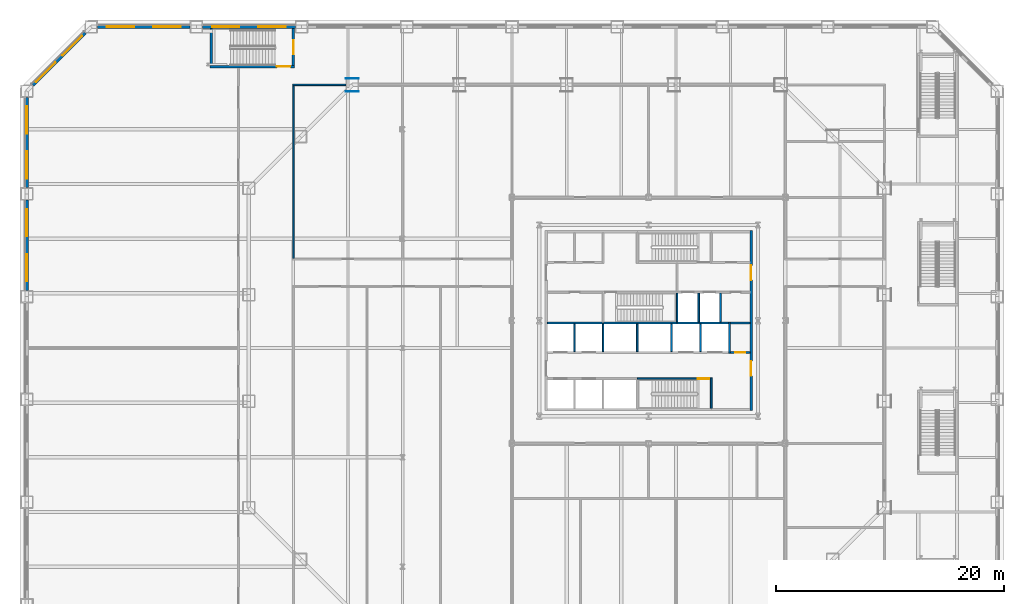
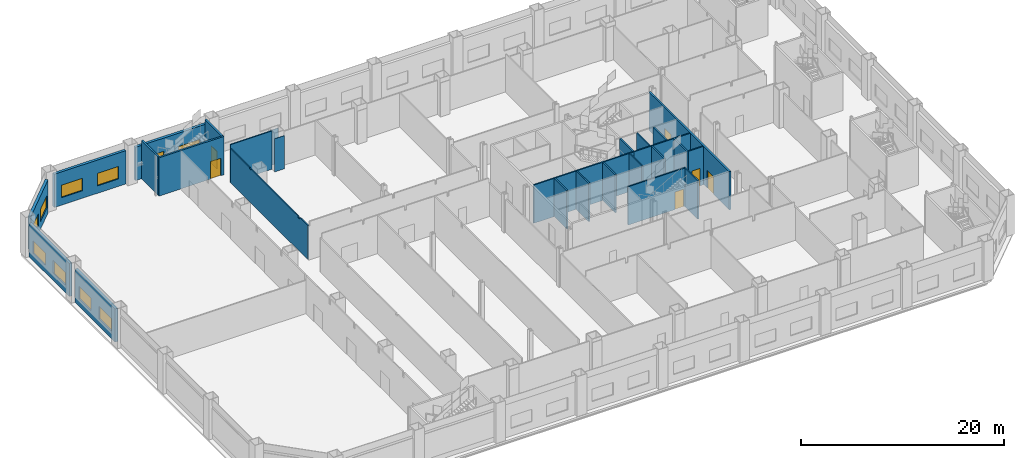
# One storey, part 14 of 26: 29 walls, 10 windows, 6 doors, 16 openings.
"""IFC4 building model written with IfcOpenShell, lengths in metres."""

from ifc_helpers import new_model, si_unit, direction, frame, frame_2d, origin, place, context, subcontext, project, spatial, polyline, rectangle, outline, extrude, material, layer, layer_set, type_object, element, fill, save


model = new_model("IFC4")

# Units and contexts
model_context = context("Model", 3, precision=1e-05, world=origin(), true_north=direction((0.0, 1.0)))
body_context = subcontext(model_context, "Body", "Model", "MODEL_VIEW")
ifc_project = project(units=[si_unit("LENGTHUNIT", "METRE"), si_unit("AREAUNIT", "SQUARE_METRE"), si_unit("VOLUMEUNIT", "CUBIC_METRE"), si_unit("PLANEANGLEUNIT", "RADIAN"), si_unit("MASSUNIT", "GRAM", prefix="KILO")], contexts=[model_context])

# Site, building, storey
site_placement = place(None, origin())
site = spatial("IfcSite", under=ifc_project, at=site_placement, CompositionType="ELEMENT")
building_placement = place(site_placement, origin())
building = spatial("IfcBuilding", under=site, at=building_placement, Name="Cairn Pilgrim Tower", CompositionType="ELEMENT")
storey_placement = place(building_placement, frame((0.0, 0.0, 25.800048828125)))
storey = spatial("IfcBuildingStorey", under=building, at=storey_placement, Name="L04", CompositionType="ELEMENT", Elevation=25.800048828125)

# Wall, openings, doors
ifc_material_1 = material(Name="Concrete C32/40", Category="concrete")
ifc_layer_1 = layer(ifc_material_1, 0.199951171875)
ifc_layer_set_1 = layer_set([ifc_layer_1], Name="CORE OUTER WALL 200 EI 120")
wall_type_1 = type_object("IfcWallType", Name="CORE OUTER WALL 200 EI 120", PredefinedType="SOLIDWALL", material=ifc_layer_set_1)
wall_1_placement = place(storey_placement, frame((16.199951171875, -5.5, 0.0), z_axis=(0.0, 0.0, 1.0), x_axis=(0.0, 1.0, 0.0)))
wall_1 = element("IfcWall", 1, at=wall_1_placement, inside=storey, type_object=wall_type_1, Name="CW:L04:V32", PredefinedType="SOLIDWALL", context=body_context, shape_type="SweptSolid", body=[
    extrude(rectangle(XDim=15.800048828125, YDim=0.199951171875, at=frame_2d((7.89990234375, 0.0))), origin(), (0.0, 0.0, 1.0), 4.599853515625),
])
opening_1_placement = place(wall_1_placement, frame((3.050048828125, 0.0, 0.0)))
opening_1 = element("IfcOpeningElement", 2, at=opening_1_placement, cuts=wall_1, Name="Opening CD-E1", PredefinedType="OPENING", context=body_context, shape_type="SweptSolid", body=[
    extrude(rectangle(XDim=1.300048828125, YDim=2.10009765625, at=frame_2d((0.64990234375, 1.050048828125))), frame((0.0, 0.10986328125, 0.0), z_axis=(0.0, -1.0, 0.0), x_axis=(1.0, 0.0, 0.0)), (0.0, 0.0, 1.0), 0.219970703125),
])
opening_2_placement = place(wall_1_placement, frame((11.449951171875, 0.0, 0.0)))
opening_2 = element("IfcOpeningElement", 3, at=opening_2_placement, cuts=wall_1, Name="Opening CD-E2", PredefinedType="OPENING", context=body_context, shape_type="SweptSolid", body=[
    extrude(rectangle(XDim=1.300048828125, YDim=2.10009765625, at=frame_2d((0.64990234375, 1.050048828125))), frame((0.0, 0.10986328125, 0.0), z_axis=(0.0, -1.0, 0.0), x_axis=(1.0, 0.0, 0.0)), (0.0, 0.0, 1.0), 0.219970703125),
])
ifc_material_2 = material(Name="Painted steel", Category="steel")
door_type_1 = type_object("IfcDoorType", Name="CORE LOBBY DOOR 1300x2100", OperationType="DOUBLE_DOOR_SINGLE_SWING", PredefinedType="DOOR", material=ifc_material_2)
door_1_placement = place(opening_1_placement, origin())
door_1 = element("IfcDoor", 4, at=door_1_placement, inside=storey, type_object=door_type_1, Name="CD-E1", OperationType="DOUBLE_DOOR_SINGLE_SWING", OverallHeight=2.10009765625, OverallWidth=1.300048828125, PredefinedType="DOOR", context=body_context, shape_type="SweptSolid", body=[
    extrude(rectangle(XDim=1.300048828125, YDim=2.10009765625, at=frame_2d((0.64990234375, 1.050048828125))), frame((0.0, 0.02490234375, 0.0), z_axis=(0.0, -1.0, 0.0), x_axis=(1.0, 0.0, 0.0)), (0.0, 0.0, 1.0), 0.050048828125),
])
fill(opening_1, door_1)
door_2_placement = place(opening_2_placement, origin())
door_2 = element("IfcDoor", 5, at=door_2_placement, inside=storey, type_object=door_type_1, Name="CD-E2", OperationType="DOUBLE_DOOR_SINGLE_SWING", OverallHeight=2.10009765625, OverallWidth=1.300048828125, PredefinedType="DOOR", context=body_context, shape_type="SweptSolid", body=[
    extrude(rectangle(XDim=1.300048828125, YDim=2.10009765625, at=frame_2d((0.64990234375, 1.050048828125))), frame((0.0, 0.02490234375, 0.0), z_axis=(0.0, -1.0, 0.0), x_axis=(1.0, 0.0, 0.0)), (0.0, 0.0, 1.0), 0.050048828125),
])
fill(opening_2, door_2)

# Wall, opening, door
ifc_layer_2 = layer(ifc_material_1, 0.14990234375)
ifc_layer_set_2 = layer_set([ifc_layer_2], Name="CORE PARTITION 150 EI 60")
wall_type_2 = type_object("IfcWallType", Name="CORE PARTITION 150 EI 60", PredefinedType="PARTITIONING", material=ifc_layer_set_2)
wall_2_placement = place(storey_placement, frame((14.375, -0.39990234375, 0.0), z_axis=(0.0, 0.0, 1.0), x_axis=(1.0, 0.0, 0.0)))
wall_2 = element("IfcWall", 6, at=wall_2_placement, inside=storey, type_object=wall_type_2, Name="CW:L04:H04", PredefinedType="PARTITIONING", context=body_context, shape_type="SweptSolid", body=[
    extrude(rectangle(XDim=1.72509765625, YDim=0.14990234375, at=frame_2d((0.862548828125, 0.0))), origin(), (0.0, 0.0, 1.0), 4.599853515625),
])
opening_3_placement = place(wall_2_placement, frame((0.425048828125, 0.0, 0.0)))
opening_3 = element("IfcOpeningElement", 7, at=opening_3_placement, cuts=wall_2, Name="Opening RD-R2E", PredefinedType="OPENING", context=body_context, shape_type="SweptSolid", body=[
    extrude(rectangle(XDim=0.89990234375, YDim=2.10009765625, at=frame_2d((0.449951171875, 1.050048828125))), frame((0.0, 0.0849609375, 0.0), z_axis=(0.0, -1.0, 0.0), x_axis=(1.0, 0.0, 0.0)), (0.0, 0.0, 1.0), 0.169921875),
])
door_type_2 = type_object("IfcDoorType", Name="SERVICE ROOM DOOR 900x2100", OperationType="SINGLE_SWING_LEFT", PredefinedType="DOOR", material=ifc_material_2)
door_3_placement = place(opening_3_placement, origin())
door_3 = element("IfcDoor", 8, at=door_3_placement, inside=storey, type_object=door_type_2, Name="RD-R2E", OperationType="SINGLE_SWING_RIGHT", OverallHeight=2.10009765625, OverallWidth=0.89990234375, PredefinedType="DOOR", context=body_context, shape_type="SweptSolid", body=[
    extrude(rectangle(XDim=0.89990234375, YDim=2.10009765625, at=frame_2d((0.449951171875, 1.050048828125))), frame((0.0, 0.02490234375, 0.0), z_axis=(0.0, -1.0, 0.0), x_axis=(1.0, 0.0, 0.0)), (0.0, 0.0, 1.0), 0.050048828125),
])
fill(opening_3, door_3)

# Walls
wall_3_placement = place(storey_placement, frame((14.375, 2.199951171875, 0.0), z_axis=(0.0, 0.0, 1.0), x_axis=(1.0, 0.0, 0.0)))
element("IfcWall", 9, at=wall_3_placement, inside=storey, type_object=wall_type_2, Name="CW:L04:H06", PredefinedType="PARTITIONING", context=body_context, shape_type="SweptSolid", body=[
    extrude(rectangle(XDim=1.72509765625, YDim=0.14990234375, at=frame_2d((0.862548828125, 0.0))), origin(), (0.0, 0.0, 1.0), 4.599853515625),
])
ifc_layer_3 = layer(ifc_material_1, 0.14990234375)
ifc_layer_set_3 = layer_set([ifc_layer_3], Name="CORE SHAFT WALL 150 EI 120")
wall_type_3 = type_object("IfcWallType", Name="CORE SHAFT WALL 150 EI 120", PredefinedType="SOLIDWALL", material=ifc_layer_set_3)
wall_4_placement = place(storey_placement, frame((-1.699951171875, 2.199951171875, 0.0), z_axis=(0.0, 0.0, 1.0), x_axis=(1.0, 0.0, 0.0)))
element("IfcWall", 10, at=wall_4_placement, inside=storey, type_object=wall_type_3, Name="CW:L04:H05-1", PredefinedType="SOLIDWALL", context=body_context, shape_type="SweptSolid", body=[
    extrude(rectangle(XDim=4.89990234375, YDim=0.14990234375, at=frame_2d((2.449951171875, 0.0))), origin(), (0.0, 0.0, 1.0), 4.599853515625),
])
wall_5_placement = place(storey_placement, frame((9.699951171875, 2.199951171875, 0.0), z_axis=(0.0, 0.0, 1.0), x_axis=(1.0, 0.0, 0.0)))
element("IfcWall", 11, at=wall_5_placement, inside=storey, type_object=wall_type_3, Name="CW:L04:H05-3", PredefinedType="SOLIDWALL", context=body_context, shape_type="SweptSolid", body=[
    extrude(rectangle(XDim=4.525146484375, YDim=0.14990234375, at=frame_2d((2.2626953125, 0.0))), origin(), (0.0, 0.0, 1.0), 4.599853515625),
])
for number, where, z_axis, x_axis, name in (
    (12, (0.699951171875, -0.324951171875, 0.0), (0.0, 0.0, 1.0), (0.0, 1.0, 0.0), "CW:L04:V14"),
    (13, (3.199951171875, -0.324951171875, 0.0), (0.0, 0.0, 1.0), (0.0, 1.0, 0.0), "CW:L04:V17"),
    (14, (6.199951171875, -0.324951171875, 0.0), (0.0, 0.0, 1.0), (0.0, 1.0, 0.0), "CW:L04:V21"),
    (15, (9.199951171875, -0.324951171875, 0.0), (0.0, 0.0, 1.0), (0.0, 1.0, 0.0), "CW:L04:V23"),
):
    element("IfcWall", number, at=place(storey_placement, frame(where, z_axis=z_axis, x_axis=x_axis)), inside=storey, type_object=wall_type_3, Name=name, PredefinedType="SOLIDWALL", context=body_context, shape_type="SweptSolid", body=[
        extrude(rectangle(XDim=2.449951171875, YDim=0.14990234375, at=frame_2d((1.22509765625, 0.0))), origin(), (0.0, 0.0, 1.0), 4.599853515625),
    ])
wall_6_placement = place(storey_placement, frame((11.60009765625, 2.27490234375, 0.0), z_axis=(0.0, 0.0, 1.0), x_axis=(0.0, 1.0, 0.0)))
element("IfcWall", 16, at=wall_6_placement, inside=storey, type_object=wall_type_3, Name="CW:L04:V26", PredefinedType="SOLIDWALL", context=body_context, shape_type="SweptSolid", body=[
    extrude(rectangle(XDim=2.550048828125, YDim=0.14990234375, at=frame_2d((1.27490234375, 0.0))), origin(), (0.0, 0.0, 1.0), 4.599853515625),
])
wall_7_placement = place(storey_placement, frame((11.75, -0.324951171875, 0.0), z_axis=(0.0, 0.0, 1.0), x_axis=(0.0, 1.0, 0.0)))
element("IfcWall", 17, at=wall_7_placement, inside=storey, type_object=wall_type_3, Name="CW:L04:V27", PredefinedType="SOLIDWALL", context=body_context, shape_type="SweptSolid", body=[
    extrude(rectangle(XDim=2.449951171875, YDim=0.14990234375, at=frame_2d((1.22509765625, 0.0))), origin(), (0.0, 0.0, 1.0), 4.599853515625),
])
wall_8_placement = place(storey_placement, frame((13.5, 2.27490234375, 0.0), z_axis=(0.0, 0.0, 1.0), x_axis=(0.0, 1.0, 0.0)))
element("IfcWall", 18, at=wall_8_placement, inside=storey, type_object=wall_type_3, Name="CW:L04:V30", PredefinedType="SOLIDWALL", context=body_context, shape_type="SweptSolid", body=[
    extrude(rectangle(XDim=2.550048828125, YDim=0.14990234375, at=frame_2d((1.27490234375, 0.0))), origin(), (0.0, 0.0, 1.0), 4.599853515625),
])
wall_9_placement = place(storey_placement, frame((14.300048828125, -0.47509765625, 0.0), z_axis=(0.0, 0.0, 1.0), x_axis=(0.0, 1.0, 0.0)))
element("IfcWall", 19, at=wall_9_placement, inside=storey, type_object=wall_type_3, Name="CW:L04:V31", PredefinedType="SOLIDWALL", context=body_context, shape_type="SweptSolid", body=[
    extrude(rectangle(XDim=2.75, YDim=0.14990234375, at=frame_2d((1.375, 0.0))), origin(), (0.0, 0.0, 1.0), 4.599853515625),
])
ifc_material_3 = material(Name="Gypsum partition")
ifc_layer_4 = layer(ifc_material_3, 0.125)
ifc_layer_set_4 = layer_set([ifc_layer_4], Name="PARTITION 125 DRYWALL EI 60")
wall_type_4 = type_object("IfcWallType", Name="PARTITION 125 DRYWALL EI 60", PredefinedType="PARTITIONING", material=ifc_layer_set_4)
wall_10_placement = place(storey_placement, frame((-24.0, 7.862548828125, 0.0), z_axis=(0.0, 0.0, 1.0), x_axis=(0.0, 1.0, 0.0)))
element("IfcWall", 20, at=wall_10_placement, inside=storey, type_object=wall_type_4, Name="PARTITION W049", PredefinedType="PARTITIONING", context=body_context, shape_type="SweptSolid", body=[
    extrude(outline(polyline([(0.0, 0.0), (15.175048828125, 0.0), (15.175048828125, 4.079833984375), (11.487548828125, 4.079833984375), (11.485595703125, 3.97998046875), (11.1875, 3.97998046875), (11.185546875, 4.079833984375), (1.887451171875, 4.079833984375), (1.885498046875, 3.8798828125), (1.58740234375, 3.8798828125), (1.58544921875, 4.079833984375), (0.0, 4.079833984375), (0.0, 0.0)])), frame((0.0, 0.0625, 0.0), z_axis=(0.0, -1.0, 0.0), x_axis=(1.0, 0.0, 0.0)), (0.0, 0.0, 1.0), 0.125),
])
wall_11_placement = place(storey_placement, frame((-24.0625, 23.10009765625, 0.0), z_axis=(0.0, 0.0, 1.0), x_axis=(1.0, 0.0, 0.0)))
element("IfcWall", 21, at=wall_11_placement, inside=storey, type_object=wall_type_4, Name="PARTITION W069", PredefinedType="PARTITIONING", context=body_context, shape_type="SweptSolid", body=[
    extrude(rectangle(XDim=4.685302734375, YDim=0.125, at=frame_2d((2.3427734375, 0.0))), origin(), (0.0, 0.0, 1.0), 4.599853515625),
])
ifc_layer_5 = layer(ifc_material_3, 0.050048828125)
ifc_layer_set_5 = layer_set([ifc_layer_5], Name="PARTITION 50 DRYWALL EI 60")
wall_type_5 = type_object("IfcWallType", Name="PARTITION 50 DRYWALL EI 60", PredefinedType="PARTITIONING", material=ifc_layer_set_5)
wall_12_placement = place(storey_placement, frame((-19.377197265625, 22.52490234375, 0.0), z_axis=(0.0, 0.0, 1.0), x_axis=(1.0, 0.0, 0.0)))
element("IfcWall", 22, at=wall_12_placement, inside=storey, type_object=wall_type_5, Name="COLUMN CASING WC39", PredefinedType="PARTITIONING", context=body_context, shape_type="SweptSolid", body=[
    extrude(rectangle(XDim=1.10009765625, YDim=0.050048828125, at=frame_2d((0.550048828125, 0.0))), origin(), (0.0, 0.0, 1.0), 3.97998046875),
])
wall_13_placement = place(storey_placement, frame((-19.377197265625, 23.675048828125, 0.0), z_axis=(0.0, 0.0, 1.0), x_axis=(1.0, 0.0, 0.0)))
element("IfcWall", 23, at=wall_13_placement, inside=storey, type_object=wall_type_5, Name="COLUMN CASING WC40", PredefinedType="PARTITIONING", context=body_context, shape_type="SweptSolid", body=[
    extrude(rectangle(XDim=1.10009765625, YDim=0.050048828125, at=frame_2d((0.550048828125, 0.0))), origin(), (0.0, 0.0, 1.0), 4.219970703125),
])

# Wall, opening, door
ifc_material_4 = material(Name="Concrete C35/45", Category="concrete")
ifc_layer_6 = layer(ifc_material_4, 0.199951171875)
ifc_layer_set_6 = layer_set([ifc_layer_6], Name="PODIUM STAIR WALL 200 EI 120")
wall_type_6 = type_object("IfcWallType", Name="PODIUM STAIR WALL 200 EI 120", PredefinedType="SOLIDWALL", material=ifc_layer_set_6)
wall_14_placement = place(storey_placement, frame((-31.300048828125, 24.699951171875, 0.0), z_axis=(0.0, 0.0, 1.0), x_axis=(1.0, 0.0, 0.0)))
wall_14 = element("IfcWall", 24, at=wall_14_placement, inside=storey, type_object=wall_type_6, Name="STAIR SHAFT WALL W075", PredefinedType="SOLIDWALL", context=body_context, shape_type="SweptSolid", body=[
    extrude(rectangle(XDim=7.400146484375, YDim=0.199951171875, at=frame_2d((3.7001953125, 0.0))), origin(), (0.0, 0.0, 1.0), 4.599853515625),
])
opening_4_placement = place(wall_14_placement, frame((5.85009765625, 0.0, 0.0)))
opening_4 = element("IfcOpeningElement", 25, at=opening_4_placement, cuts=wall_14, Name="Opening 0420", PredefinedType="OPENING", context=body_context, shape_type="SweptSolid", body=[
    extrude(rectangle(XDim=1.199951171875, YDim=2.10009765625, at=frame_2d((0.60009765625, 1.050048828125))), frame((0.0, 0.10986328125, 0.0), z_axis=(0.0, -1.0, 0.0), x_axis=(1.0, 0.0, 0.0)), (0.0, 0.0, 1.0), 0.219970703125),
])
ifc_material_5 = material(Name="Steel-faced fire door leaf", Category="steel")
door_type_3 = type_object("IfcDoorType", Name="FIRE DOOR 1200x2100 FD60S", OperationType="NOTDEFINED", PredefinedType="DOOR", material=ifc_material_5)
door_4_placement = place(opening_4_placement, origin())
door_4 = element("IfcDoor", 26, at=door_4_placement, inside=storey, type_object=door_type_3, Name="DOOR 0420", OperationType="SINGLE_SWING_RIGHT", OverallHeight=2.10009765625, OverallWidth=1.199951171875, PredefinedType="DOOR", context=body_context, shape_type="SweptSolid", body=[
    extrude(rectangle(XDim=1.199951171875, YDim=2.10009765625, at=frame_2d((0.60009765625, 1.050048828125))), frame((0.0, 0.02490234375, 0.0), z_axis=(0.0, -1.0, 0.0), x_axis=(1.0, 0.0, 0.0)), (0.0, 0.0, 1.0), 0.050048828125),
])
fill(opening_4, door_4)

# Wall
wall_15_placement = place(storey_placement, frame((-31.199951171875, 24.800048828125, 0.0), z_axis=(0.0, 0.0, 1.0), x_axis=(0.0, 1.0, 0.0)))
element("IfcWall", 27, at=wall_15_placement, inside=storey, type_object=wall_type_6, Name="STAIR SHAFT WALL W076", PredefinedType="SOLIDWALL", context=body_context, shape_type="SweptSolid", body=[
    extrude(rectangle(XDim=3.25, YDim=0.199951171875, at=frame_2d((1.625, 0.0))), origin(), (0.0, 0.0, 1.0), 4.599853515625),
])

# Wall, opening, door
wall_16_placement = place(storey_placement, frame((-24.0, 24.800048828125, 0.0), z_axis=(0.0, 0.0, 1.0), x_axis=(0.0, 1.0, 0.0)))
wall_16 = element("IfcWall", 28, at=wall_16_placement, inside=storey, type_object=wall_type_6, Name="STAIR SHAFT WALL W077", PredefinedType="SOLIDWALL", context=body_context, shape_type="SweptSolid", body=[
    extrude(rectangle(XDim=3.25, YDim=0.199951171875, at=frame_2d((1.625, 0.0))), origin(), (0.0, 0.0, 1.0), 4.599853515625),
])
opening_5_placement = place(wall_16_placement, frame((1.0, 0.0, 0.0)))
opening_5 = element("IfcOpeningElement", 29, at=opening_5_placement, cuts=wall_16, Name="Opening 0421", PredefinedType="OPENING", context=body_context, shape_type="SweptSolid", body=[
    extrude(rectangle(XDim=1.199951171875, YDim=2.10009765625, at=frame_2d((0.60009765625, 1.050048828125))), frame((0.0, 0.10986328125, 0.0), z_axis=(0.0, -1.0, 0.0), x_axis=(1.0, 0.0, 0.0)), (0.0, 0.0, 1.0), 0.219970703125),
])
door_5_placement = place(opening_5_placement, origin())
door_5 = element("IfcDoor", 30, at=door_5_placement, inside=storey, type_object=door_type_3, Name="DOOR 0421", OperationType="SINGLE_SWING_LEFT", OverallHeight=2.10009765625, OverallWidth=1.199951171875, PredefinedType="DOOR", context=body_context, shape_type="SweptSolid", body=[
    extrude(rectangle(XDim=1.199951171875, YDim=2.10009765625, at=frame_2d((0.60009765625, 1.050048828125))), frame((0.0, 0.02490234375, 0.0), z_axis=(0.0, -1.0, 0.0), x_axis=(1.0, 0.0, 0.0)), (0.0, 0.0, 1.0), 0.050048828125),
])
fill(opening_5, door_5)

# Wall, openings, windows
ifc_material_6 = material(Name="Concrete C35/45 backup wall with bronze aluminium cladding", Category="concrete")
ifc_layer_7 = layer(ifc_material_6, 0.300048828125)
ifc_layer_set_7 = layer_set([ifc_layer_7], Name="PODIUM WALL 300 BRONZE-CLAD")
wall_type_7 = type_object("IfcWallType", Name="PODIUM WALL 300 BRONZE-CLAD", PredefinedType="SOLIDWALL", material=ifc_layer_set_7)
wall_17_placement = place(storey_placement, frame((-23.82568359375, 28.199951171875, 0.0), z_axis=(0.0, 0.0, 1.0), x_axis=(-1.0, 0.0, 0.0)))
wall_17 = element("IfcWall", 31, at=wall_17_placement, inside=storey, type_object=wall_type_7, Name="PODIUM EXTERNAL WALL N7-N8", PredefinedType="SOLIDWALL", context=body_context, shape_type="SweptSolid", body=[
    extrude(rectangle(XDim=8.137939453125, YDim=0.300048828125, at=frame_2d((4.06884765625, 0.0))), origin(), (0.0, 0.0, 1.0), 4.0),
])
opening_6_placement = place(wall_17_placement, frame((0.83447265625, 0.0, 0.89990234375)))
opening_6 = element("IfcOpeningElement", 32, at=opening_6_placement, cuts=wall_17, Name="Opening PW15", PredefinedType="OPENING", context=body_context, shape_type="SweptSolid", body=[
    extrude(rectangle(XDim=2.39990234375, YDim=1.5, at=frame_2d((1.199951171875, 0.75))), frame((0.0, 0.16015625, 0.0), z_axis=(0.0, -1.0, 0.0), x_axis=(1.0, 0.0, 0.0)), (0.0, 0.0, 1.0), 0.320068359375),
])
opening_7_placement = place(wall_17_placement, frame((4.9033203125, 0.0, 0.89990234375)))
opening_7 = element("IfcOpeningElement", 33, at=opening_7_placement, cuts=wall_17, Name="Opening PW15", PredefinedType="OPENING", context=body_context, shape_type="SweptSolid", body=[
    extrude(rectangle(XDim=2.39990234375, YDim=1.5, at=frame_2d((1.199951171875, 0.75))), frame((0.0, 0.16015625, 0.0), z_axis=(0.0, -1.0, 0.0), x_axis=(1.0, 0.0, 0.0)), (0.0, 0.0, 1.0), 0.320068359375),
])
ifc_material_7 = material(Name="Bronze anodised aluminium frame with tinted low-E glass", Category="aluminium")
window_type = type_object("IfcWindowType", Name="PODIUM FIXED WINDOW 2400x1500", PartitioningType="SINGLE_PANEL", PredefinedType="WINDOW", material=ifc_material_7)
window_1_placement = place(opening_6_placement, origin())
window_1 = element("IfcWindow", 34, at=window_1_placement, inside=storey, type_object=window_type, Name="PODIUM WINDOW", OverallHeight=1.5, OverallWidth=2.39990234375, PartitioningType="SINGLE_PANEL", PredefinedType="WINDOW", context=body_context, shape_type="SweptSolid", body=[
    extrude(rectangle(XDim=2.39990234375, YDim=1.5, at=frame_2d((1.199951171875, 0.75))), frame((0.0, 0.030029296875, 0.0), z_axis=(0.0, -1.0, 0.0), x_axis=(1.0, 0.0, 0.0)), (0.0, 0.0, 1.0), 0.06005859375),
])
fill(opening_6, window_1)
window_2_placement = place(opening_7_placement, origin())
window_2 = element("IfcWindow", 35, at=window_2_placement, inside=storey, type_object=window_type, Name="PODIUM WINDOW", OverallHeight=1.5, OverallWidth=2.39990234375, PartitioningType="SINGLE_PANEL", PredefinedType="WINDOW", context=body_context, shape_type="SweptSolid", body=[
    extrude(rectangle(XDim=2.39990234375, YDim=1.5, at=frame_2d((1.199951171875, 0.75))), frame((0.0, 0.030029296875, 0.0), z_axis=(0.0, -1.0, 0.0), x_axis=(1.0, 0.0, 0.0)), (0.0, 0.0, 1.0), 0.06005859375),
])
fill(opening_7, window_2)

wall_18_placement = place(storey_placement, frame((-33.063720703125, 28.199951171875, 0.0), z_axis=(0.0, 0.0, 1.0), x_axis=(-1.0, 0.0, 0.0)))
wall_18 = element("IfcWall", 36, at=wall_18_placement, inside=storey, type_object=wall_type_7, Name="PODIUM EXTERNAL WALL N8-NW1", PredefinedType="SOLIDWALL", context=body_context, shape_type="SweptSolid", body=[
    extrude(rectangle(XDim=8.1376953125, YDim=0.300048828125, at=frame_2d((4.06884765625, 0.0))), origin(), (0.0, 0.0, 1.0), 4.0),
])
opening_8_placement = place(wall_18_placement, frame((0.83447265625, 0.0, 0.89990234375)))
opening_8 = element("IfcOpeningElement", 37, at=opening_8_placement, cuts=wall_18, Name="Opening PW15", PredefinedType="OPENING", context=body_context, shape_type="SweptSolid", body=[
    extrude(rectangle(XDim=2.39990234375, YDim=1.5, at=frame_2d((1.199951171875, 0.75))), frame((0.0, 0.16015625, 0.0), z_axis=(0.0, -1.0, 0.0), x_axis=(1.0, 0.0, 0.0)), (0.0, 0.0, 1.0), 0.320068359375),
])
opening_9_placement = place(wall_18_placement, frame((4.9033203125, 0.0, 0.89990234375)))
opening_9 = element("IfcOpeningElement", 38, at=opening_9_placement, cuts=wall_18, Name="Opening PW15", PredefinedType="OPENING", context=body_context, shape_type="SweptSolid", body=[
    extrude(rectangle(XDim=2.39990234375, YDim=1.5, at=frame_2d((1.199951171875, 0.75))), frame((0.0, 0.16015625, 0.0), z_axis=(0.0, -1.0, 0.0), x_axis=(1.0, 0.0, 0.0)), (0.0, 0.0, 1.0), 0.320068359375),
])
window_3_placement = place(opening_8_placement, origin())
window_3 = element("IfcWindow", 39, at=window_3_placement, inside=storey, type_object=window_type, Name="PODIUM WINDOW", OverallHeight=1.5, OverallWidth=2.39990234375, PartitioningType="SINGLE_PANEL", PredefinedType="WINDOW", context=body_context, shape_type="SweptSolid", body=[
    extrude(rectangle(XDim=2.39990234375, YDim=1.5, at=frame_2d((1.199951171875, 0.75))), frame((0.0, 0.030029296875, 0.0), z_axis=(0.0, -1.0, 0.0), x_axis=(1.0, 0.0, 0.0)), (0.0, 0.0, 1.0), 0.06005859375),
])
fill(opening_8, window_3)
window_4_placement = place(opening_9_placement, origin())
window_4 = element("IfcWindow", 40, at=window_4_placement, inside=storey, type_object=window_type, Name="PODIUM WINDOW", OverallHeight=1.5, OverallWidth=2.39990234375, PartitioningType="SINGLE_PANEL", PredefinedType="WINDOW", context=body_context, shape_type="SweptSolid", body=[
    extrude(rectangle(XDim=2.39990234375, YDim=1.5, at=frame_2d((1.199951171875, 0.75))), frame((0.0, 0.030029296875, 0.0), z_axis=(0.0, -1.0, 0.0), x_axis=(1.0, 0.0, 0.0)), (0.0, 0.0, 1.0), 0.06005859375),
])
fill(opening_9, window_4)

wall_19_placement = place(storey_placement, frame((-42.274658203125, 27.6767578125, 0.0), z_axis=(0.0, 0.0, 1.0), x_axis=(-0.707106781187, -0.707106781187, 0.0)))
wall_19 = element("IfcWall", 41, at=wall_19_placement, inside=storey, type_object=wall_type_7, Name="PODIUM EXTERNAL WALL NW1-W1", PredefinedType="SOLIDWALL", context=body_context, shape_type="SweptSolid", body=[
    extrude(rectangle(XDim=6.50830078125, YDim=0.300048828125, at=frame_2d((3.254150390625, 0.0))), origin(), (0.0, 0.0, 1.0), 4.0),
])
opening_10_placement = place(wall_19_placement, frame((0.427001953125, 0.0, 0.89990234375)))
opening_10 = element("IfcOpeningElement", 42, at=opening_10_placement, cuts=wall_19, Name="Opening PW15", PredefinedType="OPENING", context=body_context, shape_type="SweptSolid", body=[
    extrude(rectangle(XDim=2.39990234375, YDim=1.5, at=frame_2d((1.199951171875, 0.75))), frame((0.0, 0.16015625, 0.0), z_axis=(0.0, -1.0, 0.0), x_axis=(1.0, 0.0, 0.0)), (0.0, 0.0, 1.0), 0.320068359375),
])
opening_11_placement = place(wall_19_placement, frame((3.68115234375, 0.0, 0.89990234375)))
opening_11 = element("IfcOpeningElement", 43, at=opening_11_placement, cuts=wall_19, Name="Opening PW15", PredefinedType="OPENING", context=body_context, shape_type="SweptSolid", body=[
    extrude(rectangle(XDim=2.39990234375, YDim=1.5, at=frame_2d((1.199951171875, 0.75))), frame((0.0, 0.16015625, 0.0), z_axis=(0.0, -1.0, 0.0), x_axis=(1.0, 0.0, 0.0)), (0.0, 0.0, 1.0), 0.320068359375),
])
window_5_placement = place(opening_10_placement, origin())
window_5 = element("IfcWindow", 44, at=window_5_placement, inside=storey, type_object=window_type, Name="PODIUM WINDOW", OverallHeight=1.5, OverallWidth=2.39990234375, PartitioningType="SINGLE_PANEL", PredefinedType="WINDOW", context=body_context, shape_type="SweptSolid", body=[
    extrude(rectangle(XDim=2.39990234375, YDim=1.5, at=frame_2d((1.199951171875, 0.75))), frame((0.0, 0.030029296875, 0.0), z_axis=(0.0, -1.0, 0.0), x_axis=(1.0, 0.0, 0.0)), (0.0, 0.0, 1.0), 0.06005859375),
])
fill(opening_10, window_5)
window_6_placement = place(opening_11_placement, origin())
window_6 = element("IfcWindow", 45, at=window_6_placement, inside=storey, type_object=window_type, Name="PODIUM WINDOW", OverallHeight=1.5, OverallWidth=2.39990234375, PartitioningType="SINGLE_PANEL", PredefinedType="WINDOW", context=body_context, shape_type="SweptSolid", body=[
    extrude(rectangle(XDim=2.39990234375, YDim=1.5, at=frame_2d((1.199951171875, 0.75))), frame((0.0, 0.030029296875, 0.0), z_axis=(0.0, -1.0, 0.0), x_axis=(1.0, 0.0, 0.0)), (0.0, 0.0, 1.0), 0.06005859375),
])
fill(opening_11, window_6)

wall_20_placement = place(storey_placement, frame((-47.39990234375, 22.00146484375, 0.0), z_axis=(0.0, 0.0, 1.0), x_axis=(0.0, -1.0, 0.0)))
wall_20 = element("IfcWall", 46, at=wall_20_placement, inside=storey, type_object=wall_type_7, Name="PODIUM EXTERNAL WALL W1-W2", PredefinedType="SOLIDWALL", context=body_context, shape_type="SweptSolid", body=[
    extrude(rectangle(XDim=7.920654296875, YDim=0.300048828125, at=frame_2d((3.96044921875, 0.0))), origin(), (0.0, 0.0, 1.0), 4.0),
])
opening_12_placement = place(wall_20_placement, frame((0.780029296875, 0.0, 0.89990234375)))
opening_12 = element("IfcOpeningElement", 47, at=opening_12_placement, cuts=wall_20, Name="Opening PW15", PredefinedType="OPENING", context=body_context, shape_type="SweptSolid", body=[
    extrude(rectangle(XDim=2.39990234375, YDim=1.5, at=frame_2d((1.199951171875, 0.75))), frame((0.0, 0.16015625, 0.0), z_axis=(0.0, -1.0, 0.0), x_axis=(1.0, 0.0, 0.0)), (0.0, 0.0, 1.0), 0.320068359375),
])
opening_13_placement = place(wall_20_placement, frame((4.740478515625, 0.0, 0.89990234375)))
opening_13 = element("IfcOpeningElement", 48, at=opening_13_placement, cuts=wall_20, Name="Opening PW15", PredefinedType="OPENING", context=body_context, shape_type="SweptSolid", body=[
    extrude(rectangle(XDim=2.39990234375, YDim=1.5, at=frame_2d((1.199951171875, 0.75))), frame((0.0, 0.16015625, 0.0), z_axis=(0.0, -1.0, 0.0), x_axis=(1.0, 0.0, 0.0)), (0.0, 0.0, 1.0), 0.320068359375),
])
window_7_placement = place(opening_12_placement, origin())
window_7 = element("IfcWindow", 49, at=window_7_placement, inside=storey, type_object=window_type, Name="PODIUM WINDOW", OverallHeight=1.5, OverallWidth=2.39990234375, PartitioningType="SINGLE_PANEL", PredefinedType="WINDOW", context=body_context, shape_type="SweptSolid", body=[
    extrude(rectangle(XDim=2.39990234375, YDim=1.5, at=frame_2d((1.199951171875, 0.75))), frame((0.0, 0.030029296875, 0.0), z_axis=(0.0, -1.0, 0.0), x_axis=(1.0, 0.0, 0.0)), (0.0, 0.0, 1.0), 0.06005859375),
])
fill(opening_12, window_7)
window_8_placement = place(opening_13_placement, origin())
window_8 = element("IfcWindow", 50, at=window_8_placement, inside=storey, type_object=window_type, Name="PODIUM WINDOW", OverallHeight=1.5, OverallWidth=2.39990234375, PartitioningType="SINGLE_PANEL", PredefinedType="WINDOW", context=body_context, shape_type="SweptSolid", body=[
    extrude(rectangle(XDim=2.39990234375, YDim=1.5, at=frame_2d((1.199951171875, 0.75))), frame((0.0, 0.030029296875, 0.0), z_axis=(0.0, -1.0, 0.0), x_axis=(1.0, 0.0, 0.0)), (0.0, 0.0, 1.0), 0.06005859375),
])
fill(opening_13, window_8)

wall_21_placement = place(storey_placement, frame((-47.39990234375, 12.98095703125, 0.0), z_axis=(0.0, 0.0, 1.0), x_axis=(0.0, -1.0, 0.0)))
wall_21 = element("IfcWall", 51, at=wall_21_placement, inside=storey, type_object=wall_type_7, Name="PODIUM EXTERNAL WALL W2-W3", PredefinedType="SOLIDWALL", context=body_context, shape_type="SweptSolid", body=[
    extrude(rectangle(XDim=7.920654296875, YDim=0.300048828125, at=frame_2d((3.96044921875, 0.0))), origin(), (0.0, 0.0, 1.0), 4.0),
])
opening_14_placement = place(wall_21_placement, frame((0.780029296875, 0.0, 0.89990234375)))
opening_14 = element("IfcOpeningElement", 52, at=opening_14_placement, cuts=wall_21, Name="Opening PW15", PredefinedType="OPENING", context=body_context, shape_type="SweptSolid", body=[
    extrude(rectangle(XDim=2.39990234375, YDim=1.5, at=frame_2d((1.199951171875, 0.75))), frame((0.0, 0.16015625, 0.0), z_axis=(0.0, -1.0, 0.0), x_axis=(1.0, 0.0, 0.0)), (0.0, 0.0, 1.0), 0.320068359375),
])
opening_15_placement = place(wall_21_placement, frame((4.740478515625, 0.0, 0.89990234375)))
opening_15 = element("IfcOpeningElement", 53, at=opening_15_placement, cuts=wall_21, Name="Opening PW15", PredefinedType="OPENING", context=body_context, shape_type="SweptSolid", body=[
    extrude(rectangle(XDim=2.39990234375, YDim=1.5, at=frame_2d((1.199951171875, 0.75))), frame((0.0, 0.16015625, 0.0), z_axis=(0.0, -1.0, 0.0), x_axis=(1.0, 0.0, 0.0)), (0.0, 0.0, 1.0), 0.320068359375),
])
window_9_placement = place(opening_14_placement, origin())
window_9 = element("IfcWindow", 54, at=window_9_placement, inside=storey, type_object=window_type, Name="PODIUM WINDOW", OverallHeight=1.5, OverallWidth=2.39990234375, PartitioningType="SINGLE_PANEL", PredefinedType="WINDOW", context=body_context, shape_type="SweptSolid", body=[
    extrude(rectangle(XDim=2.39990234375, YDim=1.5, at=frame_2d((1.199951171875, 0.75))), frame((0.0, 0.030029296875, 0.0), z_axis=(0.0, -1.0, 0.0), x_axis=(1.0, 0.0, 0.0)), (0.0, 0.0, 1.0), 0.06005859375),
])
fill(opening_14, window_9)
window_10_placement = place(opening_15_placement, origin())
window_10 = element("IfcWindow", 55, at=window_10_placement, inside=storey, type_object=window_type, Name="PODIUM WINDOW", OverallHeight=1.5, OverallWidth=2.39990234375, PartitioningType="SINGLE_PANEL", PredefinedType="WINDOW", context=body_context, shape_type="SweptSolid", body=[
    extrude(rectangle(XDim=2.39990234375, YDim=1.5, at=frame_2d((1.199951171875, 0.75))), frame((0.0, 0.030029296875, 0.0), z_axis=(0.0, -1.0, 0.0), x_axis=(1.0, 0.0, 0.0)), (0.0, 0.0, 1.0), 0.06005859375),
])
fill(opening_15, window_10)

# Wall, opening, door
ifc_layer_8 = layer(ifc_material_4, 0.14990234375)
ifc_layer_set_8 = layer_set([ifc_layer_8], Name="STAIR SHAFT WALL 150 EI 120")
wall_type_8 = type_object("IfcWallType", Name="STAIR SHAFT WALL 150 EI 120", PredefinedType="SOLIDWALL", material=ifc_layer_set_8)
wall_22_placement = place(storey_placement, frame((6.199951171875, -2.699951171875, 0.0), z_axis=(0.0, 0.0, 1.0), x_axis=(1.0, 0.0, 0.0)))
wall_22 = element("IfcWall", 56, at=wall_22_placement, inside=storey, type_object=wall_type_8, Name="CW:L04:H02-2", PredefinedType="SOLIDWALL", context=body_context, shape_type="SweptSolid", body=[
    extrude(rectangle(XDim=6.425048828125, YDim=0.14990234375, at=frame_2d((3.21240234375, 0.0))), origin(), (0.0, 0.0, 1.0), 4.599853515625),
])
opening_16_placement = place(wall_22_placement, frame((5.300048828125, 0.0, 0.0)))
opening_16 = element("IfcOpeningElement", 57, at=opening_16_placement, cuts=wall_22, Name="Opening SD-A", PredefinedType="OPENING", context=body_context, shape_type="SweptSolid", body=[
    extrude(rectangle(XDim=1.0, YDim=2.10009765625, at=frame_2d((0.5, 1.050048828125))), frame((0.0, 0.0849609375, 0.0), z_axis=(0.0, -1.0, 0.0), x_axis=(1.0, 0.0, 0.0)), (0.0, 0.0, 1.0), 0.169921875),
])
door_type_4 = type_object("IfcDoorType", Name="STAIR DOOR FD60S 1000x2100", OperationType="SINGLE_SWING_LEFT", PredefinedType="DOOR", material=ifc_material_2)
door_6_placement = place(opening_16_placement, origin())
door_6 = element("IfcDoor", 58, at=door_6_placement, inside=storey, type_object=door_type_4, Name="SD-A", OperationType="SINGLE_SWING_LEFT", OverallHeight=2.10009765625, OverallWidth=1.0, PredefinedType="DOOR", context=body_context, shape_type="SweptSolid", body=[
    extrude(rectangle(XDim=1.0, YDim=2.10009765625, at=frame_2d((0.5, 1.050048828125))), frame((0.0, 0.02490234375, 0.0), z_axis=(0.0, -1.0, 0.0), x_axis=(1.0, 0.0, 0.0)), (0.0, 0.0, 1.0), 0.050048828125),
])
fill(opening_16, door_6)

# Walls
wall_23_placement = place(storey_placement, frame((3.199951171875, 2.199951171875, 0.0), z_axis=(0.0, 0.0, 1.0), x_axis=(1.0, 0.0, 0.0)))
element("IfcWall", 59, at=wall_23_placement, inside=storey, type_object=wall_type_8, Name="CW:L04:H05-2", PredefinedType="SOLIDWALL", context=body_context, shape_type="SweptSolid", body=[
    extrude(rectangle(XDim=6.5, YDim=0.14990234375, at=frame_2d((3.25, 0.0))), origin(), (0.0, 0.0, 1.0), 4.599853515625),
])
wall_24_placement = place(storey_placement, frame((9.699951171875, 2.27490234375, 0.0), z_axis=(0.0, 0.0, 1.0), x_axis=(0.0, 1.0, 0.0)))
element("IfcWall", 60, at=wall_24_placement, inside=storey, type_object=wall_type_8, Name="CW:L04:V24", PredefinedType="SOLIDWALL", context=body_context, shape_type="SweptSolid", body=[
    extrude(rectangle(XDim=2.550048828125, YDim=0.14990234375, at=frame_2d((1.27490234375, 0.0))), origin(), (0.0, 0.0, 1.0), 4.599853515625),
])
wall_25_placement = place(storey_placement, frame((12.699951171875, -5.300048828125, 0.0), z_axis=(0.0, 0.0, 1.0), x_axis=(0.0, 1.0, 0.0)))
element("IfcWall", 61, at=wall_25_placement, inside=storey, type_object=wall_type_8, Name="CW:L04:V28", PredefinedType="SOLIDWALL", context=body_context, shape_type="SweptSolid", body=[
    extrude(rectangle(XDim=2.675048828125, YDim=0.14990234375, at=frame_2d((1.33740234375, 0.0))), origin(), (0.0, 0.0, 1.0), 4.599853515625),
])

save(model, "model.ifc")
